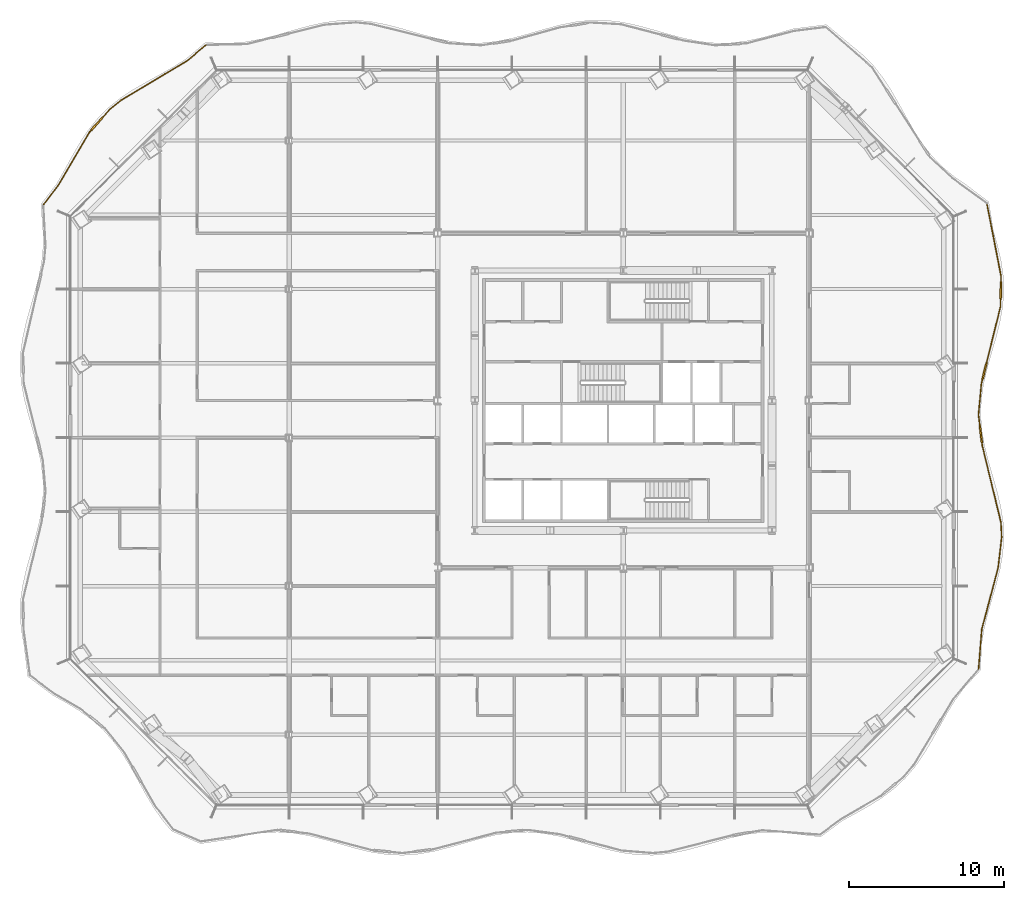
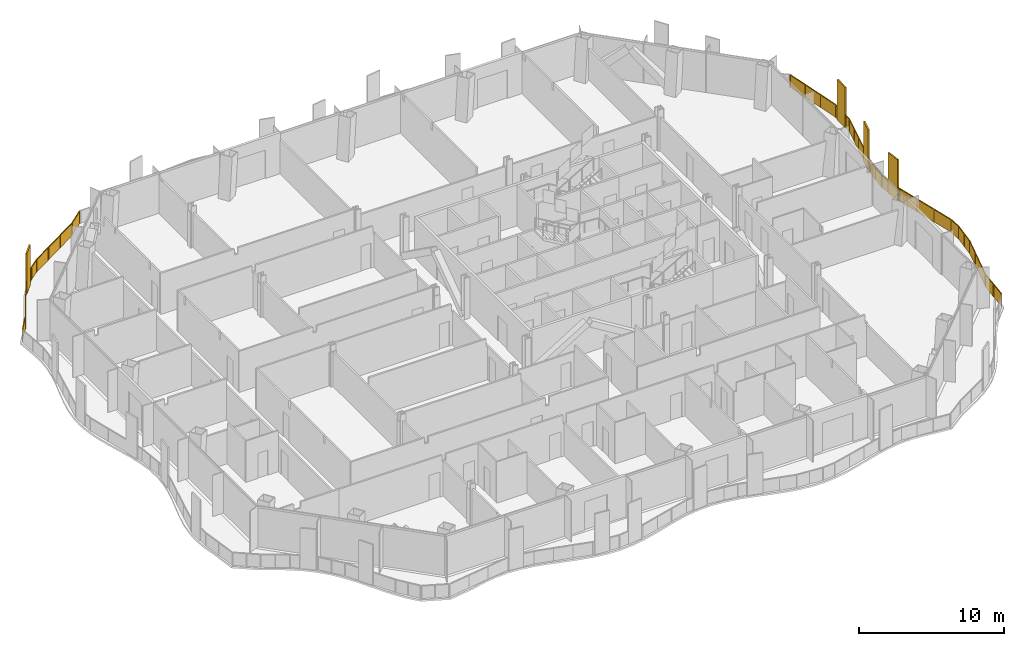
# One storey, part 18 of 20: 2 railings.
"""IFC4 building model written with IfcOpenShell, lengths in metres."""

from ifc_helpers import new_model, si_unit, direction, frame, origin, origin_2d, place, context, subcontext, project, spatial, polyline, rectangle, outline, extrude, material, type_object, element, save


model = new_model("IFC4")

# Units and contexts
model_context = context("Model", 3, precision=1e-05, world=origin(), true_north=direction((0.0, 1.0)))
body_context = subcontext(model_context, "Body", "Model", "MODEL_VIEW")
ifc_project = project(units=[si_unit("LENGTHUNIT", "METRE"), si_unit("AREAUNIT", "SQUARE_METRE"), si_unit("VOLUMEUNIT", "CUBIC_METRE"), si_unit("PLANEANGLEUNIT", "RADIAN"), si_unit("MASSUNIT", "GRAM", prefix="KILO")], contexts=[model_context])

# Site, building, storey
site_placement = place(None, origin())
site = spatial("IfcSite", under=ifc_project, at=site_placement, CompositionType="ELEMENT")
building_placement = place(site_placement, origin())
building = spatial("IfcBuilding", under=site, at=building_placement, Name="Cairn Pilgrim Tower", CompositionType="ELEMENT")
storey_placement = place(building_placement, frame((0.0, 0.0, 87.0)))
storey = spatial("IfcBuildingStorey", under=building, at=storey_placement, Name="L20", CompositionType="ELEMENT", Elevation=87.0)

# Railings
ifc_material = material(Name="Bronze anodised aluminium rail, posts and fin screens with laminated glass infill", Category="aluminium")
railing_type = type_object("IfcRailingType", Name="BALCONY GUARD WITH FIN SCREENS", PredefinedType="GUARDRAIL", material=ifc_material)
railing_1_placement = place(storey_placement, frame((30.154541015625, -14.961181640625, 0.0)))
element("IfcRailing", 1, at=railing_1_placement, inside=storey, type_object=railing_type, Name="Balcony guard BGF-3 with fin screens", PredefinedType="GUARDRAIL", context=body_context, shape_type="SweptSolid", body=[
    extrude(rectangle(XDim=0.050048828125, YDim=0.050048828125, at=origin_2d()), frame((0.0, 0.0, 1.0751953125), z_axis=(0.080955533096, 0.99671771413, 0.0), x_axis=(-0.99671771413, 0.080955533096, 0.0)), (0.0, 0.0, 1.0), 2.58154296875),
    extrude(rectangle(XDim=0.050048828125, YDim=0.050048828125, at=origin_2d()), frame((0.208984375, 2.572998046875, 1.0751953125), z_axis=(0.256631635165, 0.966509288022, 0.0), x_axis=(-0.966509288022, 0.256631635165, 0.0)), (0.0, 0.0, 1.0), 4.112548828125),
    extrude(rectangle(XDim=0.050048828125, YDim=0.050048828125, at=origin_2d()), frame((1.264404296875, 6.5478515625, 1.0751953125), z_axis=(0.116461462847, 0.993195211261, 0.0), x_axis=(-0.993195211261, 0.116461462847, 0.0)), (0.0, 0.0, 1.0), 1.976806640625),
    extrude(rectangle(XDim=0.050048828125, YDim=0.050048828125, at=origin_2d()), frame((1.49462890625, 8.51123046875, 1.0751953125), z_axis=(-0.047697041272, 0.998861848432, 0.0), x_axis=(-0.998861848432, -0.047697041272, 0.0)), (0.0, 0.0, 1.0), 0.967529296875),
    extrude(rectangle(XDim=0.050048828125, YDim=0.050048828125, at=origin_2d()), frame((1.448486328125, 9.4775390625, 1.0751953125), z_axis=(-0.236172172534, 0.971711225067, 0.0), x_axis=(-0.971711225067, -0.236172172534, 0.0)), (0.0, 0.0, 1.0), 5.1044921875),
    extrude(rectangle(XDim=1.10009765625, YDim=0.110107421875, at=origin_2d()), frame((0.152099609375, 15.17724609375, 0.0), z_axis=(0.0, 0.0, 1.0), x_axis=(-0.12206206884, 0.99252246894, 0.0)), (0.0, 0.0, 1.0), 3.39990234375),
    extrude(rectangle(XDim=0.050048828125, YDim=0.050048828125, at=origin_2d()), frame((0.242919921875, 14.437744140625, 1.0751953125), z_axis=(-0.12206206884, 0.99252246894, 0.0), x_axis=(-0.99252246894, -0.12206206884, 0.0)), (0.0, 0.0, 1.0), 0.195068359375),
    extrude(rectangle(XDim=0.050048828125, YDim=0.050048828125, at=origin_2d()), frame((0.0849609375, 15.72314453125, 1.0751953125), z_axis=(-0.12206206884, 0.99252246894, 0.0), x_axis=(-0.99252246894, -0.12206206884, 0.0)), (0.0, 0.0, 1.0), 0.731201171875),
    extrude(rectangle(XDim=0.050048828125, YDim=0.050048828125, at=origin_2d()), frame((-0.00439453125, 16.44873046875, 1.0751953125), z_axis=(0.094626824283, 0.995512814647, 0.0), x_axis=(-0.995512814647, 0.094626824283, 0.0)), (0.0, 0.0, 1.0), 2.022705078125),
    extrude(rectangle(XDim=1.10009765625, YDim=0.110107421875, at=origin_2d()), frame((0.38671875, 19.267578125, 0.0), z_axis=(0.0, 0.0, 1.0), x_axis=(0.24060160708, 0.970623957396, 0.0)), (0.0, 0.0, 1.0), 3.39990234375),
    extrude(rectangle(XDim=0.050048828125, YDim=0.050048828125, at=origin_2d()), frame((0.18701171875, 18.46240234375, 1.0751953125), z_axis=(0.24060160708, 0.970623957396, 0.0), x_axis=(-0.970623957396, 0.24060160708, 0.0)), (0.0, 0.0, 1.0), 0.279541015625),
    extrude(rectangle(XDim=0.050048828125, YDim=0.050048828125, at=origin_2d()), frame((0.51904296875, 19.801513671875, 1.0751953125), z_axis=(0.24060160708, 0.970623957396, 0.0), x_axis=(-0.970623957396, 0.24060160708, 0.0)), (0.0, 0.0, 1.0), 3.73046875),
    extrude(rectangle(XDim=1.10009765625, YDim=0.110107421875, at=origin_2d()), frame((1.439208984375, 24.496337890625, 0.0), z_axis=(0.0, 0.0, 1.0), x_axis=(0.021239896195, 0.999774407959, 0.0)), (0.0, 0.0, 1.0), 3.39990234375),
    extrude(rectangle(XDim=0.050048828125, YDim=0.050048828125, at=origin_2d()), frame((1.41650390625, 23.42236328125, 1.0751953125), z_axis=(0.021239896195, 0.999774407959, 0.0), x_axis=(-0.999774407959, 0.021239896195, 0.0)), (0.0, 0.0, 1.0), 0.524169921875),
    extrude(rectangle(XDim=0.050048828125, YDim=0.050048828125, at=origin_2d()), frame((1.450927734375, 25.046142578125, 1.0751953125), z_axis=(0.021239896195, 0.999774407959, 0.0), x_axis=(-0.999774407959, 0.021239896195, 0.0)), (0.0, 0.0, 1.0), 0.329833984375),
    extrude(rectangle(XDim=0.050048828125, YDim=0.050048828125, at=origin_2d()), frame((1.4580078125, 25.3759765625, 1.0751953125), z_axis=(-0.191346697176, 0.981522511958, 0.0), x_axis=(-0.981522511958, -0.191346697176, 0.0)), (0.0, 0.0, 1.0), 4.766845703125),
    extrude(rectangle(XDim=0.050048828125, YDim=0.050048828125, at=origin_2d()), origin(), (0.0, 0.0, 1.0), 1.050048828125),
    extrude(rectangle(XDim=0.050048828125, YDim=0.050048828125, at=origin_2d()), frame((0.1044921875, 1.28662109375, 0.0)), (0.0, 0.0, 1.0), 1.050048828125),
    extrude(rectangle(XDim=0.050048828125, YDim=0.050048828125, at=origin_2d()), frame((0.208984375, 2.572998046875, 0.0)), (0.0, 0.0, 1.0), 1.050048828125),
    extrude(rectangle(XDim=0.050048828125, YDim=0.050048828125, at=origin_2d()), frame((0.560791015625, 3.89794921875, 0.0)), (0.0, 0.0, 1.0), 1.050048828125),
    extrude(rectangle(XDim=0.050048828125, YDim=0.050048828125, at=origin_2d()), frame((0.91259765625, 5.222900390625, 0.0)), (0.0, 0.0, 1.0), 1.050048828125),
    extrude(rectangle(XDim=0.050048828125, YDim=0.050048828125, at=origin_2d()), frame((1.264404296875, 6.5478515625, 0.0)), (0.0, 0.0, 1.0), 1.050048828125),
    extrude(rectangle(XDim=0.050048828125, YDim=0.050048828125, at=origin_2d()), frame((1.37939453125, 7.529541015625, 0.0)), (0.0, 0.0, 1.0), 1.050048828125),
    extrude(rectangle(XDim=0.050048828125, YDim=0.050048828125, at=origin_2d()), frame((1.49462890625, 8.51123046875, 0.0)), (0.0, 0.0, 1.0), 1.050048828125),
    extrude(rectangle(XDim=0.050048828125, YDim=0.050048828125, at=origin_2d()), frame((1.448486328125, 9.4775390625, 0.0)), (0.0, 0.0, 1.0), 1.050048828125),
    extrude(rectangle(XDim=0.050048828125, YDim=0.050048828125, at=origin_2d()), frame((1.046630859375, 11.130859375, 0.0)), (0.0, 0.0, 1.0), 1.050048828125),
    extrude(rectangle(XDim=0.050048828125, YDim=0.050048828125, at=origin_2d()), frame((0.644775390625, 12.784423828125, 0.0)), (0.0, 0.0, 1.0), 1.050048828125),
    extrude(rectangle(XDim=0.050048828125, YDim=0.050048828125, at=origin_2d()), frame((0.242919921875, 14.437744140625, 0.0)), (0.0, 0.0, 1.0), 1.050048828125),
    extrude(rectangle(XDim=0.050048828125, YDim=0.050048828125, at=origin_2d()), frame((0.22216796875, 14.6064453125, 0.0)), (0.0, 0.0, 1.0), 1.050048828125),
    extrude(rectangle(XDim=0.050048828125, YDim=0.050048828125, at=origin_2d()), frame((0.081787109375, 15.747802734375, 0.0)), (0.0, 0.0, 1.0), 1.050048828125),
    extrude(rectangle(XDim=0.050048828125, YDim=0.050048828125, at=origin_2d()), frame((-0.00439453125, 16.44873046875, 0.0)), (0.0, 0.0, 1.0), 1.050048828125),
    extrude(rectangle(XDim=0.050048828125, YDim=0.050048828125, at=origin_2d()), frame((0.09130859375, 17.45556640625, 0.0)), (0.0, 0.0, 1.0), 1.050048828125),
    extrude(rectangle(XDim=0.050048828125, YDim=0.050048828125, at=origin_2d()), frame((0.18701171875, 18.46240234375, 0.0)), (0.0, 0.0, 1.0), 1.050048828125),
    extrude(rectangle(XDim=0.050048828125, YDim=0.050048828125, at=origin_2d()), frame((0.248291015625, 18.70947265625, 0.0)), (0.0, 0.0, 1.0), 1.050048828125),
    extrude(rectangle(XDim=0.050048828125, YDim=0.050048828125, at=origin_2d()), frame((0.52490234375, 19.82568359375, 0.0)), (0.0, 0.0, 1.0), 1.050048828125),
    extrude(rectangle(XDim=0.050048828125, YDim=0.050048828125, at=origin_2d()), frame((0.822265625, 21.024658203125, 0.0)), (0.0, 0.0, 1.0), 1.050048828125),
    extrude(rectangle(XDim=0.050048828125, YDim=0.050048828125, at=origin_2d()), frame((1.119384765625, 22.223388671875, 0.0)), (0.0, 0.0, 1.0), 1.050048828125),
    extrude(rectangle(XDim=0.050048828125, YDim=0.050048828125, at=origin_2d()), frame((1.41650390625, 23.42236328125, 0.0)), (0.0, 0.0, 1.0), 1.050048828125),
    extrude(rectangle(XDim=0.050048828125, YDim=0.050048828125, at=origin_2d()), frame((1.427001953125, 23.92138671875, 0.0)), (0.0, 0.0, 1.0), 1.050048828125),
    extrude(rectangle(XDim=0.050048828125, YDim=0.050048828125, at=origin_2d()), frame((1.451416015625, 25.0712890625, 0.0)), (0.0, 0.0, 1.0), 1.050048828125),
    extrude(rectangle(XDim=0.050048828125, YDim=0.050048828125, at=origin_2d()), frame((1.4580078125, 25.3759765625, 0.0)), (0.0, 0.0, 1.0), 1.050048828125),
    extrude(rectangle(XDim=0.050048828125, YDim=0.050048828125, at=origin_2d()), frame((1.154052734375, 26.935546875, 0.0)), (0.0, 0.0, 1.0), 1.050048828125),
    extrude(rectangle(XDim=0.050048828125, YDim=0.050048828125, at=origin_2d()), frame((0.849853515625, 28.4951171875, 0.0)), (0.0, 0.0, 1.0), 1.050048828125),
    extrude(rectangle(XDim=0.050048828125, YDim=0.050048828125, at=origin_2d()), frame((0.5458984375, 30.0546875, 0.0)), (0.0, 0.0, 1.0), 1.050048828125),
    extrude(outline(polyline([(0.02490234375, 0.0), (1.265625, 0.0), (1.265625, 1.050048828125), (0.02490234375, 1.050048828125), (0.02490234375, 0.0)])), frame((-0.005859375, 0.00048828125, 0.0), z_axis=(0.99671771413, -0.080955533096, 0.0), x_axis=(0.080955533096, 0.99671771413, 0.0)), (0.0, 0.0, 1.0), 0.011962890625),
    extrude(outline(polyline([(0.02490234375, 0.0), (1.265625, 0.0), (1.265625, 1.050048828125), (0.02490234375, 1.050048828125), (0.02490234375, 0.0)])), frame((0.0986328125, 1.286865234375, 0.0), z_axis=(0.99671771413, -0.080955533096, 0.0), x_axis=(0.080955533096, 0.99671771413, 0.0)), (0.0, 0.0, 1.0), 0.011962890625),
    extrude(outline(polyline([(0.02490234375, 0.0), (1.345947265625, 0.0), (1.345947265625, 1.050048828125), (0.02490234375, 1.050048828125), (0.02490234375, 0.0)])), frame((0.203125, 2.574462890625, 0.0), z_axis=(0.966509288022, -0.256631635165, 0.0), x_axis=(0.256631635165, 0.966509288022, 0.0)), (0.0, 0.0, 1.0), 0.011962890625),
    extrude(outline(polyline([(0.02490234375, 0.0), (1.345947265625, 0.0), (1.345947265625, 1.050048828125), (0.02490234375, 1.050048828125), (0.02490234375, 0.0)])), frame((0.554931640625, 3.8994140625, 0.0), z_axis=(0.966509288022, -0.256631635165, 0.0), x_axis=(0.256631635165, 0.966509288022, 0.0)), (0.0, 0.0, 1.0), 0.011962890625),
    extrude(outline(polyline([(0.02490234375, 0.0), (1.345947265625, 0.0), (1.345947265625, 1.050048828125), (0.02490234375, 1.050048828125), (0.02490234375, 0.0)])), frame((0.90673828125, 5.224365234375, 0.0), z_axis=(0.966509288022, -0.256631635165, 0.0), x_axis=(0.256631635165, 0.966509288022, 0.0)), (0.0, 0.0, 1.0), 0.011962890625),
    extrude(outline(polyline([(0.02490234375, 0.0), (0.96337890625, 0.0), (0.96337890625, 1.050048828125), (0.02490234375, 1.050048828125), (0.02490234375, 0.0)])), frame((1.258544921875, 6.548583984375, 0.0), z_axis=(0.993195211261, -0.116461462847, 0.0), x_axis=(0.116461462847, 0.993195211261, 0.0)), (0.0, 0.0, 1.0), 0.011962890625),
    extrude(outline(polyline([(0.02490234375, 0.0), (0.96337890625, 0.0), (0.96337890625, 1.050048828125), (0.02490234375, 1.050048828125), (0.02490234375, 0.0)])), frame((1.37353515625, 7.5302734375, 0.0), z_axis=(0.993195211261, -0.116461462847, 0.0), x_axis=(0.116461462847, 0.993195211261, 0.0)), (0.0, 0.0, 1.0), 0.011962890625),
    extrude(outline(polyline([(0.02490234375, 0.0), (0.9423828125, 0.0), (0.9423828125, 1.050048828125), (0.02490234375, 1.050048828125), (0.02490234375, 0.0)])), frame((1.48876953125, 8.510986328125, 0.0), z_axis=(0.998861848432, 0.047697041272, 0.0), x_axis=(-0.047697041272, 0.998861848432, 0.0)), (0.0, 0.0, 1.0), 0.011962890625),
    extrude(outline(polyline([(0.02490234375, 0.0), (1.676513671875, 0.0), (1.676513671875, 1.050048828125), (0.02490234375, 1.050048828125), (0.02490234375, 0.0)])), frame((1.442626953125, 9.47607421875, 0.0), z_axis=(0.971711225067, 0.236172172534, 0.0), x_axis=(-0.236172172534, 0.971711225067, 0.0)), (0.0, 0.0, 1.0), 0.011962890625),
    extrude(outline(polyline([(0.02490234375, 0.0), (1.676513671875, 0.0), (1.676513671875, 1.050048828125), (0.02490234375, 1.050048828125), (0.02490234375, 0.0)])), frame((1.040771484375, 11.129638671875, 0.0), z_axis=(0.971711225067, 0.236172172534, 0.0), x_axis=(-0.236172172534, 0.971711225067, 0.0)), (0.0, 0.0, 1.0), 0.011962890625),
    extrude(outline(polyline([(0.02490234375, 0.0), (1.676513671875, 0.0), (1.676513671875, 1.050048828125), (0.02490234375, 1.050048828125), (0.02490234375, 0.0)])), frame((0.638916015625, 12.782958984375, 0.0), z_axis=(0.971711225067, 0.236172172534, 0.0), x_axis=(-0.236172172534, 0.971711225067, 0.0)), (0.0, 0.0, 1.0), 0.011962890625),
    extrude(outline(polyline([(0.02490234375, 0.0), (0.14501953125, 0.0), (0.14501953125, 1.050048828125), (0.02490234375, 1.050048828125), (0.02490234375, 0.0)])), frame((0.237060546875, 14.43701171875, 0.0), z_axis=(0.99252246894, 0.12206206884, 0.0), x_axis=(-0.12206206884, 0.99252246894, 0.0)), (0.0, 0.0, 1.0), 0.011962890625),
    extrude(outline(polyline([(0.02490234375, 0.0), (0.68115234375, 0.0), (0.68115234375, 1.050048828125), (0.02490234375, 1.050048828125), (0.02490234375, 0.0)])), frame((0.075927734375, 15.7470703125, 0.0), z_axis=(0.99252246894, 0.12206206884, 0.0), x_axis=(-0.12206206884, 0.99252246894, 0.0)), (0.0, 0.0, 1.0), 0.011962890625),
    extrude(outline(polyline([(0.02490234375, 0.0), (0.986328125, 0.0), (0.986328125, 1.050048828125), (0.02490234375, 1.050048828125), (0.02490234375, 0.0)])), frame((-0.01025390625, 16.44921875, 0.0), z_axis=(0.995512814647, -0.094626824283, 0.0), x_axis=(0.094626824283, 0.995512814647, 0.0)), (0.0, 0.0, 1.0), 0.011962890625),
    extrude(outline(polyline([(0.02490234375, 0.0), (0.986328125, 0.0), (0.986328125, 1.050048828125), (0.02490234375, 1.050048828125), (0.02490234375, 0.0)])), frame((0.08544921875, 17.4560546875, 0.0), z_axis=(0.995512814647, -0.094626824283, 0.0), x_axis=(0.094626824283, 0.995512814647, 0.0)), (0.0, 0.0, 1.0), 0.011962890625),
    extrude(outline(polyline([(0.02490234375, 0.0), (0.2294921875, 0.0), (0.2294921875, 1.050048828125), (0.02490234375, 1.050048828125), (0.02490234375, 0.0)])), frame((0.18115234375, 18.4638671875, 0.0), z_axis=(0.970623957396, -0.24060160708, 0.0), x_axis=(0.24060160708, 0.970623957396, 0.0)), (0.0, 0.0, 1.0), 0.011962890625),
    extrude(outline(polyline([(0.02490234375, 0.0), (1.210205078125, 0.0), (1.210205078125, 1.050048828125), (0.02490234375, 1.050048828125), (0.02490234375, 0.0)])), frame((0.51904296875, 19.8271484375, 0.0), z_axis=(0.970623957396, -0.24060160708, 0.0), x_axis=(0.24060160708, 0.970623957396, 0.0)), (0.0, 0.0, 1.0), 0.011962890625),
    extrude(outline(polyline([(0.02490234375, 0.0), (1.210205078125, 0.0), (1.210205078125, 1.050048828125), (0.02490234375, 1.050048828125), (0.02490234375, 0.0)])), frame((0.81640625, 21.026123046875, 0.0), z_axis=(0.970623957396, -0.24060160708, 0.0), x_axis=(0.24060160708, 0.970623957396, 0.0)), (0.0, 0.0, 1.0), 0.011962890625),
    extrude(outline(polyline([(0.02490234375, 0.0), (1.210205078125, 0.0), (1.210205078125, 1.050048828125), (0.02490234375, 1.050048828125), (0.02490234375, 0.0)])), frame((1.113525390625, 22.224853515625, 0.0), z_axis=(0.970623957396, -0.24060160708, 0.0), x_axis=(0.24060160708, 0.970623957396, 0.0)), (0.0, 0.0, 1.0), 0.011962890625),
    extrude(outline(polyline([(0.02490234375, 0.0), (0.47412109375, 0.0), (0.47412109375, 1.050048828125), (0.02490234375, 1.050048828125), (0.02490234375, 0.0)])), frame((1.41064453125, 23.422607421875, 0.0), z_axis=(0.999774407959, -0.021239896195, 0.0), x_axis=(0.021239896195, 0.999774407959, 0.0)), (0.0, 0.0, 1.0), 0.011962890625),
    extrude(outline(polyline([(0.02490234375, 0.0), (0.27978515625, 0.0), (0.27978515625, 1.050048828125), (0.02490234375, 1.050048828125), (0.02490234375, 0.0)])), frame((1.445556640625, 25.0712890625, 0.0), z_axis=(0.999774407959, -0.021239896195, 0.0), x_axis=(0.021239896195, 0.999774407959, 0.0)), (0.0, 0.0, 1.0), 0.011962890625),
    extrude(outline(polyline([(0.02490234375, 0.0), (1.56396484375, 0.0), (1.56396484375, 1.050048828125), (0.02490234375, 1.050048828125), (0.02490234375, 0.0)])), frame((1.4521484375, 25.374755859375, 0.0), z_axis=(0.981522511958, 0.191346697176, 0.0), x_axis=(-0.191346697176, 0.981522511958, 0.0)), (0.0, 0.0, 1.0), 0.011962890625),
    extrude(outline(polyline([(0.02490234375, 0.0), (1.56396484375, 0.0), (1.56396484375, 1.050048828125), (0.02490234375, 1.050048828125), (0.02490234375, 0.0)])), frame((1.148193359375, 26.934326171875, 0.0), z_axis=(0.981522511958, 0.191346697176, 0.0), x_axis=(-0.191346697176, 0.981522511958, 0.0)), (0.0, 0.0, 1.0), 0.011962890625),
    extrude(outline(polyline([(0.02490234375, 0.0), (1.56396484375, 0.0), (1.56396484375, 1.050048828125), (0.02490234375, 1.050048828125), (0.02490234375, 0.0)])), frame((0.843994140625, 28.493896484375, 0.0), z_axis=(0.981522511958, 0.191346697176, 0.0), x_axis=(-0.191346697176, 0.981522511958, 0.0)), (0.0, 0.0, 1.0), 0.011962890625),
])
railing_2_placement = place(storey_placement, frame((-19.7783203125, 25.3837890625, 0.0)))
element("IfcRailing", 2, at=railing_2_placement, inside=storey, type_object=railing_type, Name="Balcony guard BGF-6 with fin screens", PredefinedType="GUARDRAIL", context=body_context, shape_type="SweptSolid", body=[
    extrude(rectangle(XDim=0.050048828125, YDim=0.050048828125, at=origin_2d()), frame((0.0, 0.0, 1.0751953125), z_axis=(-0.762967130192, -0.646437280984, 0.0), x_axis=(0.646437280984, -0.762967130192, 0.0)), (0.0, 0.0, 1.0), 1.5693359375),
    extrude(rectangle(XDim=0.050048828125, YDim=0.050048828125, at=origin_2d()), frame((-1.197265625, -1.014404296875, 1.0751953125), z_axis=(-0.858262906859, -0.513210271439, 0.0), x_axis=(0.513210271439, -0.858262906859, 0.0)), (0.0, 0.0, 1.0), 5.001708984375),
    extrude(rectangle(XDim=0.050048828125, YDim=0.050048828125, at=origin_2d()), frame((-5.489990234375, -3.581298828125, 1.0751953125), z_axis=(-0.77775800909, -0.628563822771, 0.0), x_axis=(0.628563822771, -0.77775800909, 0.0)), (0.0, 0.0, 1.0), 0.952392578125),
    extrude(rectangle(XDim=1.10009765625, YDim=0.110107421875, at=origin_2d()), frame((-7.03955078125, -5.087158203125, 0.0), z_axis=(0.0, 0.0, 1.0), x_axis=(-0.665415300488, -0.74647336046, 0.0)), (0.0, 0.0, 1.0), 3.39990234375),
    extrude(rectangle(XDim=0.050048828125, YDim=0.050048828125, at=origin_2d()), frame((-6.230712890625, -4.179931640625, 1.0751953125), z_axis=(-0.665415300488, -0.74647336046, 0.0), x_axis=(0.74647336046, -0.665415300488, 0.0)), (0.0, 0.0, 1.0), 0.66552734375),
    extrude(rectangle(XDim=0.050048828125, YDim=0.050048828125, at=origin_2d()), frame((-7.405517578125, -5.497802734375, 1.0751953125), z_axis=(-0.665415300488, -0.74647336046, 0.0), x_axis=(0.74647336046, -0.665415300488, 0.0)), (0.0, 0.0, 1.0), 0.150146484375),
    extrude(rectangle(XDim=0.050048828125, YDim=0.050048828125, at=origin_2d()), frame((-7.50537109375, -5.60986328125, 1.0751953125), z_axis=(-0.506462888529, -0.862261759875, 0.0), x_axis=(0.862261759875, -0.506462888529, 0.0)), (0.0, 0.0, 1.0), 4.00244140625),
    extrude(rectangle(XDim=0.050048828125, YDim=0.050048828125, at=origin_2d()), frame((-9.532470703125, -9.06103515625, 1.0751953125), z_axis=(-0.611287429122, -0.791408667502, 0.0), x_axis=(0.791408667502, -0.611287429122, 0.0)), (0.0, 0.0, 1.0), 1.562744140625),
    extrude(rectangle(XDim=0.050048828125, YDim=0.050048828125, at=origin_2d()), origin(), (0.0, 0.0, 1.0), 1.050048828125),
    extrude(rectangle(XDim=0.050048828125, YDim=0.050048828125, at=origin_2d()), frame((-1.197265625, -1.014404296875, 0.0)), (0.0, 0.0, 1.0), 1.050048828125),
    extrude(rectangle(XDim=0.050048828125, YDim=0.050048828125, at=origin_2d()), frame((-2.628173828125, -1.8701171875, 0.0)), (0.0, 0.0, 1.0), 1.050048828125),
    extrude(rectangle(XDim=0.050048828125, YDim=0.050048828125, at=origin_2d()), frame((-4.05908203125, -2.7255859375, 0.0)), (0.0, 0.0, 1.0), 1.050048828125),
    extrude(rectangle(XDim=0.050048828125, YDim=0.050048828125, at=origin_2d()), frame((-5.489990234375, -3.581298828125, 0.0)), (0.0, 0.0, 1.0), 1.050048828125),
    extrude(rectangle(XDim=0.050048828125, YDim=0.050048828125, at=origin_2d()), frame((-6.230712890625, -4.179931640625, 0.0)), (0.0, 0.0, 1.0), 1.050048828125),
    extrude(rectangle(XDim=0.050048828125, YDim=0.050048828125, at=origin_2d()), frame((-6.656982421875, -4.657958984375, 0.0)), (0.0, 0.0, 1.0), 1.050048828125),
    extrude(rectangle(XDim=0.050048828125, YDim=0.050048828125, at=origin_2d()), frame((-7.422119140625, -5.516357421875, 0.0)), (0.0, 0.0, 1.0), 1.050048828125),
    extrude(rectangle(XDim=0.050048828125, YDim=0.050048828125, at=origin_2d()), frame((-7.50537109375, -5.60986328125, 0.0)), (0.0, 0.0, 1.0), 1.050048828125),
    extrude(rectangle(XDim=0.050048828125, YDim=0.050048828125, at=origin_2d()), frame((-8.18115234375, -6.76025390625, 0.0)), (0.0, 0.0, 1.0), 1.050048828125),
    extrude(rectangle(XDim=0.050048828125, YDim=0.050048828125, at=origin_2d()), frame((-8.856689453125, -7.91064453125, 0.0)), (0.0, 0.0, 1.0), 1.050048828125),
    extrude(rectangle(XDim=0.050048828125, YDim=0.050048828125, at=origin_2d()), frame((-9.532470703125, -9.06103515625, 0.0)), (0.0, 0.0, 1.0), 1.050048828125),
    extrude(rectangle(XDim=0.050048828125, YDim=0.050048828125, at=origin_2d()), frame((-10.48779296875, -10.2978515625, 0.0)), (0.0, 0.0, 1.0), 1.050048828125),
    extrude(outline(polyline([(0.02490234375, 0.0), (1.544189453125, 0.0), (1.544189453125, 1.050048828125), (0.02490234375, 1.050048828125), (0.02490234375, 0.0)])), frame((0.00390625, -0.004638671875, 0.0), z_axis=(-0.646437280984, 0.762967130192, 0.0), x_axis=(-0.762967130192, -0.646437280984, 0.0)), (0.0, 0.0, 1.0), 0.011962890625),
    extrude(outline(polyline([(0.02490234375, 0.0), (1.64208984375, 0.0), (1.64208984375, 1.050048828125), (0.02490234375, 1.050048828125), (0.02490234375, 0.0)])), frame((-1.194091796875, -1.01953125, 0.0), z_axis=(-0.513210271439, 0.858262906859, 0.0), x_axis=(-0.858262906859, -0.513210271439, 0.0)), (0.0, 0.0, 1.0), 0.011962890625),
    extrude(outline(polyline([(0.02490234375, 0.0), (1.64208984375, 0.0), (1.64208984375, 1.050048828125), (0.02490234375, 1.050048828125), (0.02490234375, 0.0)])), frame((-2.625, -1.875244140625, 0.0), z_axis=(-0.513210271439, 0.858262906859, 0.0), x_axis=(-0.858262906859, -0.513210271439, 0.0)), (0.0, 0.0, 1.0), 0.011962890625),
    extrude(outline(polyline([(0.02490234375, 0.0), (1.64208984375, 0.0), (1.64208984375, 1.050048828125), (0.02490234375, 1.050048828125), (0.02490234375, 0.0)])), frame((-4.055908203125, -2.730712890625, 0.0), z_axis=(-0.513210271439, 0.858262906859, 0.0), x_axis=(-0.858262906859, -0.513210271439, 0.0)), (0.0, 0.0, 1.0), 0.011962890625),
    extrude(outline(polyline([(0.02490234375, 0.0), (0.92724609375, 0.0), (0.92724609375, 1.050048828125), (0.02490234375, 1.050048828125), (0.02490234375, 0.0)])), frame((-5.486328125, -3.5859375, 0.0), z_axis=(-0.628563822771, 0.77775800909, 0.0), x_axis=(-0.77775800909, -0.628563822771, 0.0)), (0.0, 0.0, 1.0), 0.011962890625),
    extrude(outline(polyline([(0.02490234375, 0.0), (0.615478515625, 0.0), (0.615478515625, 1.050048828125), (0.02490234375, 1.050048828125), (0.02490234375, 0.0)])), frame((-6.226318359375, -4.183837890625, 0.0), z_axis=(-0.74647336046, 0.665415300488, 0.0), x_axis=(-0.665415300488, -0.74647336046, 0.0)), (0.0, 0.0, 1.0), 0.011962890625),
    extrude(outline(polyline([(0.02490234375, 0.0), (0.10009765625, 0.0), (0.10009765625, 1.050048828125), (0.02490234375, 1.050048828125), (0.02490234375, 0.0)])), frame((-7.417724609375, -5.5205078125, 0.0), z_axis=(-0.74647336046, 0.665415300488, 0.0), x_axis=(-0.665415300488, -0.74647336046, 0.0)), (0.0, 0.0, 1.0), 0.011962890625),
    extrude(outline(polyline([(0.02490234375, 0.0), (1.30908203125, 0.0), (1.30908203125, 1.050048828125), (0.02490234375, 1.050048828125), (0.02490234375, 0.0)])), frame((-7.500244140625, -5.61279296875, 0.0), z_axis=(-0.862261759875, 0.506462888529, 0.0), x_axis=(-0.506462888529, -0.862261759875, 0.0)), (0.0, 0.0, 1.0), 0.011962890625),
    extrude(outline(polyline([(0.02490234375, 0.0), (1.30908203125, 0.0), (1.30908203125, 1.050048828125), (0.02490234375, 1.050048828125), (0.02490234375, 0.0)])), frame((-8.176025390625, -6.76318359375, 0.0), z_axis=(-0.862261759875, 0.506462888529, 0.0), x_axis=(-0.506462888529, -0.862261759875, 0.0)), (0.0, 0.0, 1.0), 0.011962890625),
    extrude(outline(polyline([(0.02490234375, 0.0), (1.30908203125, 0.0), (1.30908203125, 1.050048828125), (0.02490234375, 1.050048828125), (0.02490234375, 0.0)])), frame((-8.8515625, -7.91357421875, 0.0), z_axis=(-0.862261759875, 0.506462888529, 0.0), x_axis=(-0.506462888529, -0.862261759875, 0.0)), (0.0, 0.0, 1.0), 0.011962890625),
    extrude(outline(polyline([(0.02490234375, 0.0), (1.537841796875, 0.0), (1.537841796875, 1.050048828125), (0.02490234375, 1.050048828125), (0.02490234375, 0.0)])), frame((-9.52783203125, -9.064697265625, 0.0), z_axis=(-0.791408667502, 0.611287429122, 0.0), x_axis=(-0.611287429122, -0.791408667502, 0.0)), (0.0, 0.0, 1.0), 0.011962890625),
])

save(model, "model.ifc")
